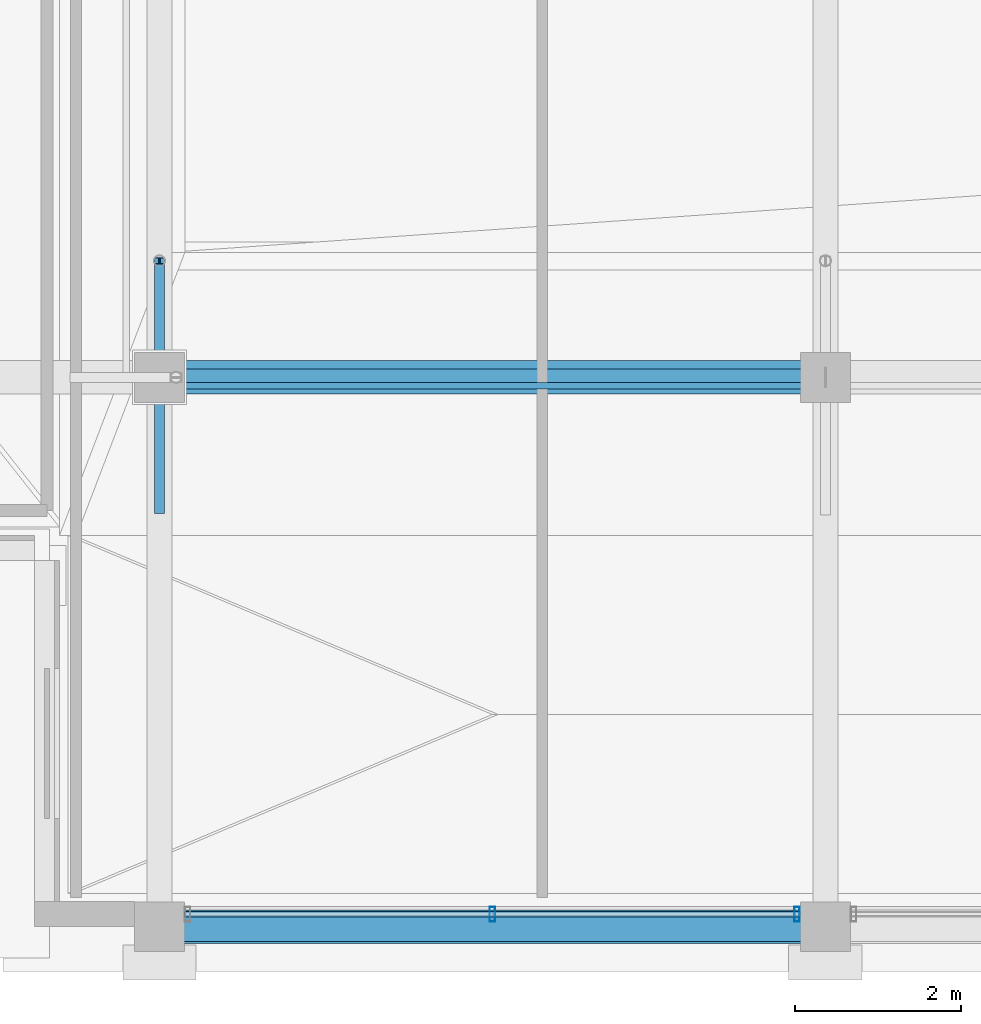
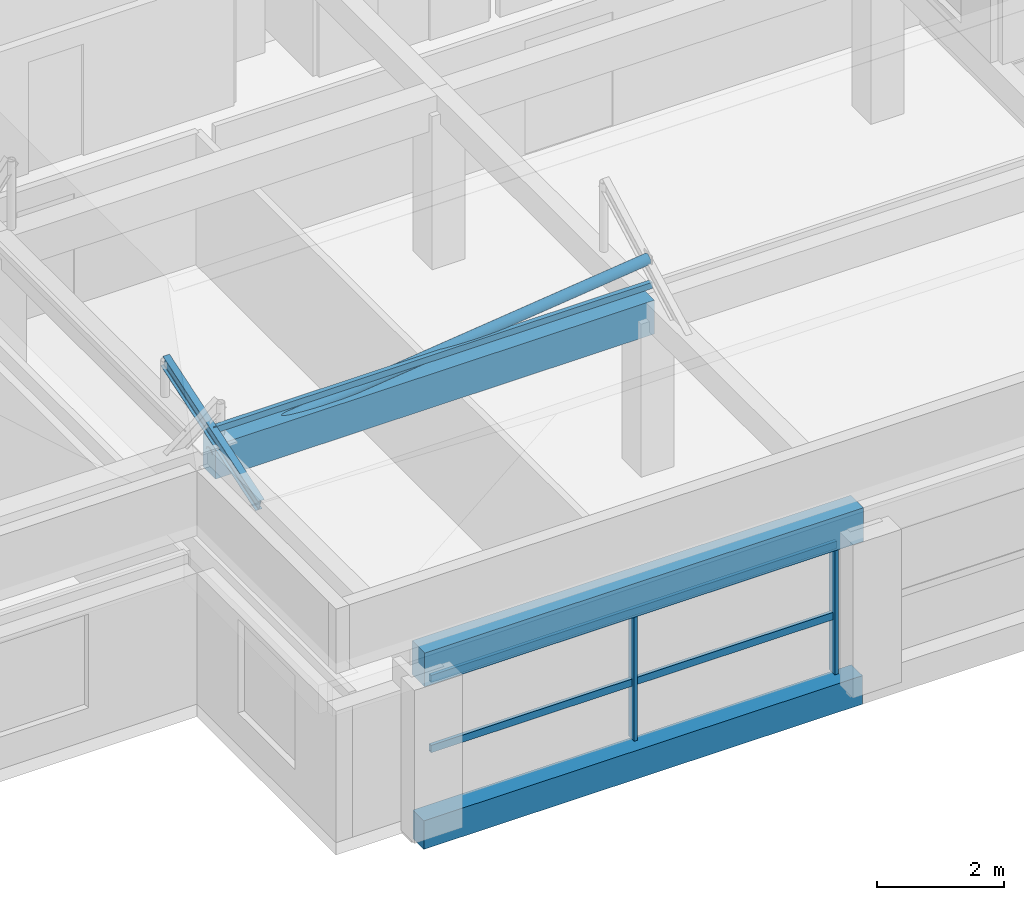
# One storey, part 3 of 39: 7 members, 3 beams, 1 element without a shape of its own.
"""IFC4 building model written with IfcOpenShell, lengths in metres."""

import ifcopenshell
import ifcopenshell.guid

model = None  # the IFC model being written
_history = None  # IfcOwnerHistory: only IFC2X3 demands one
_inside = {}  # id of a spatial element -> (the spatial element, [elements in it])
_under = {}  # id of a project, library or spatial element -> (it, [spatial elements below it])
_declared = {}  # id of a project -> (the project, [libraries it declares])
_typed = {}  # id of a type object -> (the type object, [elements of that type])
_made_of = {}  # id of a material, layer set ... -> (it, [elements and type objects made of it])


def new_model(schema):
    """Start an empty IFC model of exactly this schema.

    Asked for "IFC4X3", IfcOpenShell would pick the latest addendum, in which some entities
    have other attributes; the version numbers below select the first issue.
    IFC2X3 requires an IfcOwnerHistory on every rooted entity: one is made here for all.
    """
    global model, _history
    if schema == "IFC4X3":
        model = ifcopenshell.file(schema_version=(4, 3, 0, 0))
    else:
        model = ifcopenshell.file(schema=schema)
    _inside.clear()
    _under.clear()
    _declared.clear()
    _typed.clear()
    _made_of.clear()
    _history = None
    if model.schema == "IFC2X3":
        org = make("IfcOrganization", Name="unknown")
        user = make(
            "IfcPersonAndOrganization",
            ThePerson=make("IfcPerson", FamilyName="unknown"),
            TheOrganization=org,
        )
        app = make(
            "IfcApplication",
            ApplicationDeveloper=org,
            Version="unknown",
            ApplicationFullName="unknown",
            ApplicationIdentifier="unknown",
        )
        _history = make(
            "IfcOwnerHistory",
            OwningUser=user,
            OwningApplication=app,
            ChangeAction="ADDED",
            CreationDate=0,
        )
    return model


def make(cls, **values):
    """One entity of the class cls with the attributes given. An attribute that is None is left unset."""
    return model.create_entity(
        cls, **{name: value for name, value in values.items() if value is not None}
    )


def rooted(cls, **values):
    """An entity with a GlobalId (a new one), such as an element, a storey or a relation."""
    return make(cls, GlobalId=ifcopenshell.guid.new(), OwnerHistory=_history, **values)


def si_unit(unit_type, name, prefix=None):
    """IfcSIUnit, for example si_unit("LENGTHUNIT", "METRE", prefix="MILLI")."""
    return make("IfcSIUnit", UnitType=unit_type, Prefix=prefix, Name=name)


def assignment(units):
    """IfcUnitAssignment: the units of a project."""
    return None if units is None else make("IfcUnitAssignment", Units=units)


def point(xyz):
    """IfcCartesianPoint."""
    return None if xyz is None else make("IfcCartesianPoint", Coordinates=xyz)


def direction(xyz):
    """IfcDirection."""
    return None if xyz is None else make("IfcDirection", DirectionRatios=xyz)


def frame(location, z_axis=None, x_axis=None):
    """IfcAxis2Placement3D, a coordinate frame: its origin and axes. An axis left out is left unset."""
    return make(
        "IfcAxis2Placement3D",
        Location=point(location),
        Axis=direction(z_axis),
        RefDirection=direction(x_axis),
    )


def frame_2d(location, x_axis=None):
    """IfcAxis2Placement2D, a coordinate frame in the plane: its origin and x axis."""
    return make(
        "IfcAxis2Placement2D", Location=point(location), RefDirection=direction(x_axis)
    )


def origin():
    """The frame at (0, 0, 0) with its axes left unset."""
    return frame((0.0, 0.0, 0.0))


def origin_2d():
    """The frame at (0, 0) in the plane with its x axis left unset."""
    return frame_2d((0.0, 0.0))


def place(relative_to, where):
    """IfcLocalPlacement: puts the frame where relative to a parent placement (None: the world)."""
    return make(
        "IfcLocalPlacement", PlacementRelTo=relative_to, RelativePlacement=where
    )


def context(
    kind, dimensions, precision=None, world=None, true_north=None, identifier=None
):
    """IfcGeometricRepresentationContext, for example the 3D "Model" context."""
    return make(
        "IfcGeometricRepresentationContext",
        ContextIdentifier=identifier,
        ContextType=kind,
        CoordinateSpaceDimension=dimensions,
        Precision=precision,
        WorldCoordinateSystem=world,
        TrueNorth=true_north,
    )


def subcontext(parent, identifier, kind, view, scale=None):
    """IfcGeometricRepresentationSubContext, for example "Body" below "Model"."""
    return make(
        "IfcGeometricRepresentationSubContext",
        ContextIdentifier=identifier,
        ContextType=kind,
        ParentContext=parent,
        TargetScale=scale,
        TargetView=view,
    )


def project(units=None, contexts=None):
    """IfcProject with its units and contexts."""
    return rooted(
        "IfcProject",
        Name="project",
        RepresentationContexts=contexts,
        UnitsInContext=assignment(units),
    )


def spatial(cls, under=None, at=None, **own):
    """A site, building, storey or space (cls), placed at a placement, below another one or the project."""
    s = rooted(cls, ObjectPlacement=at, **own)
    if under is not None:
        _under.setdefault(under.id(), (under, []))[1].append(s)
    return s


def profile(cls, at=None, kind="AREA", **sizes):
    """A parametric profile (cls). Its sizes go by their IFC names, for example OverallWidth=200.0."""
    return make(cls, ProfileType=kind, Position=at, **sizes)


def rectangle(**sizes):
    """IfcRectangleProfileDef."""
    return profile("IfcRectangleProfileDef", **sizes)


def hollow_rectangle(**sizes):
    """IfcRectangleHollowProfileDef."""
    return profile("IfcRectangleHollowProfileDef", **sizes)


def hollow_circle(**sizes):
    """IfcCircleHollowProfileDef."""
    return profile("IfcCircleHollowProfileDef", **sizes)


def i_section(**sizes):
    """IfcIShapeProfileDef."""
    return profile("IfcIShapeProfileDef", **sizes)


def extrude(swept, where, along, depth):
    """IfcExtrudedAreaSolid: the profile swept, set in the frame where, extruded along a direction by depth."""
    return make(
        "IfcExtrudedAreaSolid",
        SweptArea=swept,
        Position=where,
        ExtrudedDirection=direction(along),
        Depth=depth,
    )


def shape(context_of_items, identifier, shape_type, items):
    """IfcShapeRepresentation: the items that make up one representation, for example the "Body"."""
    return make(
        "IfcShapeRepresentation",
        ContextOfItems=context_of_items,
        RepresentationIdentifier=identifier,
        RepresentationType=shape_type,
        Items=items,
    )


def material(Name=None, Category=None):
    """IfcMaterial."""
    return make("IfcMaterial", Name=Name, Category=Category)


def material_profile(
    of_material, cross_section, Name=None, Category=None, Priority=None
):
    """IfcMaterialProfile: a cross section and its material."""
    return make(
        "IfcMaterialProfile",
        Name=Name,
        Material=of_material,
        Profile=cross_section,
        Priority=Priority,
        Category=Category,
    )


def profile_set(profiles, Name=None, composite=None):
    """IfcMaterialProfileSet."""
    return make(
        "IfcMaterialProfileSet",
        Name=Name,
        MaterialProfiles=profiles,
        CompositeProfile=composite,
    )


def made_of(thing, what):
    """Note that an element or type object is made of a material, layer set ...; save() writes the relation."""
    if what is not None:
        _made_of.setdefault(what.id(), (what, []))[1].append(thing)
    return thing


def type_object(cls, material=None, **own):
    """A type object (cls), such as IfcWallType, which elements share."""
    return made_of(rooted(cls, **own), material)


def element(
    cls,
    number,
    at=None,
    inside=None,
    cuts=None,
    type_object=None,
    material=None,
    context=None,
    identifier="Body",
    shape_type=None,
    held_by="IfcProductDefinitionShape",
    body=None,
    shapes=None,
    **own,
):
    """One element of the class cls, such as IfcWall. Its Tag is "e" and its number.

    at: its placement. inside: the storey or other place that contains it. cuts: it is an
    opening in that element (IfcRelVoidsElement). A single representation is given by context,
    identifier, shape_type and body (its items); several are given by shapes. held_by: the class
    of the entity that holds the representations. save() writes the other relations.
    """
    e = rooted(cls, Tag="e%d" % number, ObjectPlacement=at, **own)
    if body is not None:
        shapes = [shape(context, identifier, shape_type, body)]
    if shapes is not None:
        e.Representation = make(held_by, Representations=shapes)
    if inside is not None:
        _inside.setdefault(inside.id(), (inside, []))[1].append(e)
    if cuts is not None:
        rooted(
            "IfcRelVoidsElement", RelatingBuildingElement=cuts, RelatedOpeningElement=e
        )
    if type_object is not None:
        _typed.setdefault(type_object.id(), (type_object, []))[1].append(e)
    return made_of(e, material)


def aggregate(whole, parts):
    """IfcRelAggregates: a whole, such as a stair, and the parts it consists of."""
    return rooted("IfcRelAggregates", RelatingObject=whole, RelatedObjects=parts)


def save(model, path):
    """Write the relations noted so far, then the file.

    IfcRelAggregates (storeys below a building ...), IfcRelContainedInSpatialStructure (elements
    in a storey), IfcRelDefinesByType, IfcRelAssociatesMaterial and IfcRelDeclares: one each for
    every whole, place, type object, material and project.
    """
    for whole, parts in _under.values():
        aggregate(whole, parts)
    for where, things in _inside.values():
        rooted(
            "IfcRelContainedInSpatialStructure",
            RelatedElements=things,
            RelatingStructure=where,
        )
    for kind, things in _typed.values():
        rooted("IfcRelDefinesByType", RelatedObjects=things, RelatingType=kind)
    for what, things in _made_of.values():
        rooted("IfcRelAssociatesMaterial", RelatedObjects=things, RelatingMaterial=what)
    for by, libraries in _declared.values():
        rooted("IfcRelDeclares", RelatingContext=by, RelatedDefinitions=libraries)
    model.write(path)


model = new_model("IFC4")

# Units and contexts
model_context = context("Model", 3, precision=1e-05, world=origin(), true_north=direction((0.0, 1.0)))
body_context = subcontext(model_context, "Body", "Model", "MODEL_VIEW")
ifc_project = project(units=[si_unit("LENGTHUNIT", "METRE"), si_unit("AREAUNIT", "SQUARE_METRE"), si_unit("VOLUMEUNIT", "CUBIC_METRE"), si_unit("PLANEANGLEUNIT", "RADIAN"), si_unit("MASSUNIT", "GRAM", prefix="KILO")], contexts=[model_context])

# Site, building, storey
site_placement = place(None, origin())
site = spatial("IfcSite", under=ifc_project, at=site_placement, CompositionType="ELEMENT")
building_placement = place(site_placement, origin())
building = spatial("IfcBuilding", under=site, at=building_placement, Name="Akrevak Sports Hall", CompositionType="ELEMENT")
storey_placement = place(building_placement, frame((0.0, 0.0, 66.550048828125)))
storey = spatial("IfcBuildingStorey", under=building, at=storey_placement, Name="L17", CompositionType="ELEMENT", Elevation=66.550048828125)

# Curtain wall, members
ifc_material_1 = material(Name="Anodized Bronze Aluminium & Low-E Glass", Category="aluminium")
curtain_wall_type = type_object("IfcCurtainWallType", Name="ARC-CW-TWR-68x30", PredefinedType="NOTDEFINED", material=ifc_material_1)
curtain_wall_placement = place(storey_placement, origin())
curtain_wall = element("IfcCurtainWall", 1, at=curtain_wall_placement, inside=storey, type_object=curtain_wall_type, Name="Curtain Wall CW-L17-S02", PredefinedType="NOTDEFINED")
ifc_material_2 = material(Name="Anodized Bronze Aluminium", Category="aluminium")
ifc_material_profile_1 = material_profile(ifc_material_2, hollow_rectangle(XDim=0.06494140625, YDim=0.179931640625, WallThickness=0.00390625, at=origin_2d()), Name="CWM 65x180", Category="aluminium")
ifc_profile_set_1 = profile_set([ifc_material_profile_1], Name="Anodized Bronze Aluminium")
member_type_1 = type_object("IfcMemberType", Name="ARC-CWM-65x140", PredefinedType="MULLION", material=ifc_profile_set_1)
member_1_placement = place(storey_placement, frame((64.0, 35.550048828125, 0.0), z_axis=(0.0, 0.0, 1.0), x_axis=(1.0, 0.0, 0.0)))
member_1 = element("IfcMember", 2, at=member_1_placement, type_object=member_type_1, Name="Curtain Wall Mullion CW-L17-S02-M2", PredefinedType="MULLION", context=body_context, shape_type="SweptSolid", body=[
    extrude(hollow_rectangle(XDim=0.06494140625, YDim=0.179931640625, WallThickness=0.00390625, at=origin_2d()), origin(), (0.0, 0.0, 1.0), 2.530029296875),
])
member_2_placement = place(storey_placement, frame((67.659912109375, 35.550048828125, 0.0), z_axis=(0.0, 0.0, 1.0), x_axis=(1.0, 0.0, 0.0)))
member_2 = element("IfcMember", 3, at=member_2_placement, type_object=member_type_1, Name="Curtain Wall Mullion CW-L17-S02-M3", PredefinedType="MULLION", context=body_context, shape_type="SweptSolid", body=[
    extrude(hollow_rectangle(XDim=0.06494140625, YDim=0.179931640625, WallThickness=0.00390625, at=origin_2d()), origin(), (0.0, 0.0, 1.0), 2.530029296875),
])
ifc_material_profile_2 = material_profile(ifc_material_2, hollow_rectangle(XDim=0.06494140625, YDim=0.139892578125, WallThickness=0.00390625, at=origin_2d()), Name="CWT 65x140", Category="aluminium")
ifc_profile_set_2 = profile_set([ifc_material_profile_2], Name="Anodized Bronze Aluminium")
member_type_2 = type_object("IfcMemberType", Name="ARC-CWT-65x110", PredefinedType="USERDEFINED", material=ifc_profile_set_2)
member_3_placement = place(storey_placement, frame((60.300048828125, 35.550048828125, 1.099853515625), z_axis=(1.0, 0.0, 0.0), x_axis=(0.0, 1.0, 0.0)))
member_3 = element("IfcMember", 4, at=member_3_placement, type_object=member_type_2, Name="Curtain Wall Transom CW-L17-S02-T1", ObjectType="TRANSOM", PredefinedType="USERDEFINED", context=body_context, shape_type="SweptSolid", body=[
    extrude(hollow_rectangle(XDim=0.06494140625, YDim=0.139892578125, WallThickness=0.00390625, at=origin_2d()), origin(), (0.0, 0.0, 1.0), 7.39990234375),
])
member_4_placement = place(storey_placement, frame((60.300048828125, 35.550048828125, 2.449951171875), z_axis=(1.0, 0.0, 0.0), x_axis=(0.0, 1.0, 0.0)))
member_4 = element("IfcMember", 5, at=member_4_placement, type_object=member_type_2, Name="Curtain Wall Transom CW-L17-S02-T2", ObjectType="TRANSOM", PredefinedType="USERDEFINED", context=body_context, shape_type="SweptSolid", body=[
    extrude(hollow_rectangle(XDim=0.06494140625, YDim=0.139892578125, WallThickness=0.00390625, at=origin_2d()), origin(), (0.0, 0.0, 1.0), 7.39990234375),
])
aggregate(curtain_wall, [member_1, member_2, member_3, member_4])

# Beams
ifc_material_3 = material(Name="Concrete C40/50", Category="concrete")
ifc_material_profile_3 = material_profile(ifc_material_3, rectangle(XDim=0.35009765625, YDim=0.550048828125, at=origin_2d()), Name="BM 350x550", Category="concrete")
ifc_profile_set_3 = profile_set([ifc_material_profile_3], Name="Concrete C40/50")
beam_type_1 = type_object("IfcBeamType", Name="STR-BM-RC350x550", PredefinedType="BEAM", material=ifc_profile_set_3)
beam_placement = place(storey_placement, frame((60.0, 35.39990234375, -0.275146484375), z_axis=(1.0, 0.0, 0.0), x_axis=(0.0, 1.0, 0.0)))
element("IfcBeam", 6, at=beam_placement, inside=storey, type_object=beam_type_1, Name="Girder F/9-10 (L17)", PredefinedType="BEAM", context=body_context, shape_type="SweptSolid", body=[
    extrude(rectangle(XDim=0.35009765625, YDim=0.550048828125, at=origin_2d()), origin(), (0.0, 0.0, 1.0), 8.0),
])
ifc_material_profile_4 = material_profile(ifc_material_3, rectangle(XDim=0.39990234375, YDim=0.64990234375, at=origin_2d()), Name="BM 400x650", Category="concrete")
ifc_profile_set_4 = profile_set([ifc_material_profile_4], Name="Concrete C40/50")
beam_type_2 = type_object("IfcBeamType", Name="STR-BM-RC400x650", PredefinedType="BEAM", material=ifc_profile_set_4)
for number, where, z_axis, x_axis, name in (
    (7, (60.0, 35.39990234375, 2.925048828125), (1.0, 0.0, 0.0), (0.0, 1.0, 0.0), "Girder F/9-10 (ROOF)"),
    (8, (60.0, 42.0, 2.925048828125), (1.0, 0.0, 0.0), (0.0, 1.0, 0.0), "Girder G/9-10 (ROOF)"),
):
    element("IfcBeam", number, at=place(storey_placement, frame(where, z_axis=z_axis, x_axis=x_axis)), inside=storey, type_object=beam_type_2, Name=name, PredefinedType="BEAM", context=body_context, shape_type="SweptSolid", body=[
        extrude(rectangle(XDim=0.39990234375, YDim=0.64990234375, at=origin_2d()), origin(), (0.0, 0.0, 1.0), 8.0),
    ])

# Members
ifc_material_4 = material(Name="Steel S355", Category="steel")
ifc_material_profile_5 = material_profile(ifc_material_4, hollow_circle(Radius=0.096923828125, WallThickness=0.010009765625, at=origin_2d()), Name="CHS 193.7x10", Category="steel")
ifc_profile_set_5 = profile_set([ifc_material_profile_5], Name="Steel S355")
member_type_3 = type_object("IfcMemberType", Name="STR-MEM-BRACE-CHS193", PredefinedType="BRACE", material=ifc_profile_set_5)
member_5_placement = place(storey_placement, frame((60.0, 42.0, 3.0), z_axis=(0.993311666207, 0.0, 0.115463993426), x_axis=(0.0, 1.0, 0.0)))
element("IfcMember", 9, at=member_5_placement, inside=storey, type_object=member_type_3, Name="Mansard Roof Lateral Brace MBRC-WS-1", PredefinedType="BRACE", context=body_context, shape_type="SweptSolid", body=[
    extrude(hollow_circle(Radius=0.096923828125, WallThickness=0.010009765625, at=origin_2d()), origin(), (0.0, 0.0, 1.0), 8.053955078125),
])
ifc_material_profile_6 = material_profile(ifc_material_4, hollow_rectangle(XDim=0.080078125, YDim=0.1201171875, WallThickness=0.00634765625, at=origin_2d()), Name="RHS 120x80x6.3", Category="steel")
ifc_profile_set_6 = profile_set([ifc_material_profile_6], Name="Steel S355")
member_type_4 = type_object("IfcMemberType", Name="STR-MEM-PUR-RHS120", PredefinedType="PURLIN", material=ifc_profile_set_6)
member_6_placement = place(storey_placement, frame((60.0, 41.89990234375, 3.5), z_axis=(1.0, 0.0, 0.0), x_axis=(0.0, 1.0, 0.0)))
element("IfcMember", 10, at=member_6_placement, inside=storey, type_object=member_type_4, Name="Mansard Steel Purlin MANS-W-S-A", PredefinedType="PURLIN", context=body_context, shape_type="SweptSolid", body=[
    extrude(hollow_rectangle(XDim=0.080078125, YDim=0.1201171875, WallThickness=0.00634765625, at=origin_2d()), origin(), (0.0, 0.0, 1.0), 8.0),
])
ifc_material_profile_7 = material_profile(ifc_material_4, i_section(OverallWidth=0.1201171875, OverallDepth=0.239990234375, WebThickness=0.006103515625, FlangeThickness=0.009765625, FilletRadius=0.014892578125, at=origin_2d()), Name="IPE 240", Category="steel")
ifc_profile_set_7 = profile_set([ifc_material_profile_7], Name="Steel S355")
member_type_5 = type_object("IfcMemberType", Name="STR-MEM-RAF-IPE240", PredefinedType="RAFTER", material=ifc_profile_set_7)
member_7_placement = place(storey_placement, frame((60.0, 40.39990234375, 2.949951171875), z_axis=(0.0, 0.950569114948, 0.310513055615), x_axis=(-1.0, 0.0, 0.0)))
element("IfcMember", 11, at=member_7_placement, inside=storey, type_object=member_type_5, Name="Mansard Steel Rafter MANS-W-S-60", PredefinedType="RAFTER", context=body_context, shape_type="SweptSolid", body=[
    extrude(i_section(OverallWidth=0.1201171875, OverallDepth=0.239990234375, WebThickness=0.006103515625, FlangeThickness=0.009765625, FilletRadius=0.014892578125, at=origin_2d()), origin(), (0.0, 0.0, 1.0), 3.156005859375),
])

save(model, "model.ifc")
